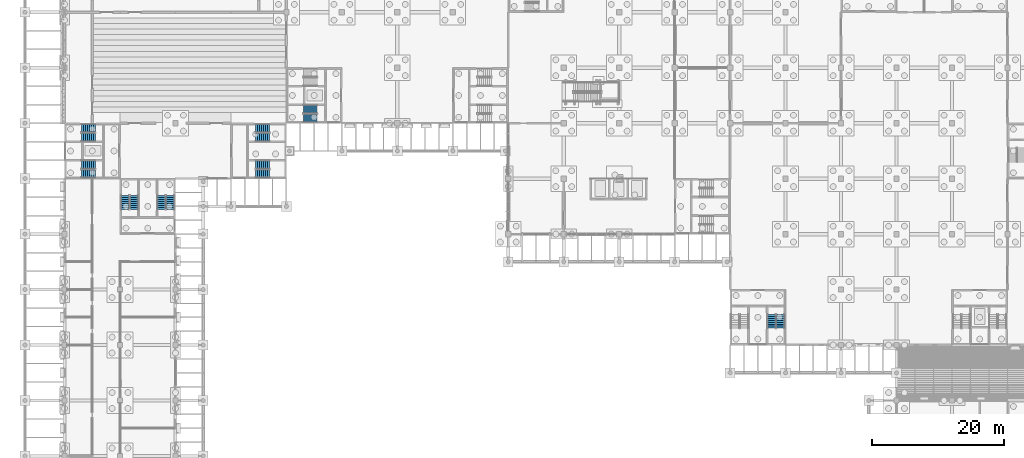
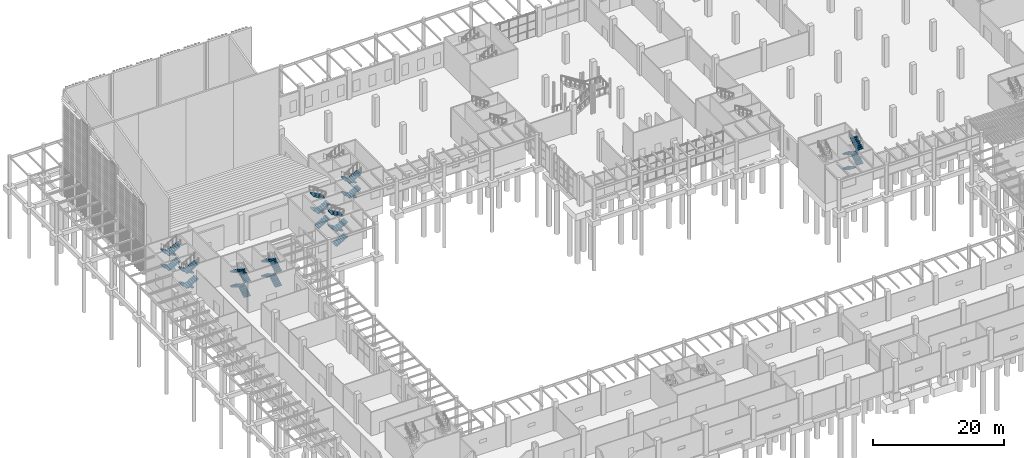
# One storey, part 45 of 82: 32 stair flights, 8 elements without a shape of their own.
"""IFC4 building model written with IfcOpenShell, lengths in metres."""

from ifc_helpers import new_model, si_unit, direction, frame, origin, place, context, subcontext, project, spatial, polyline, outline, extrude, material, type_object, element, aggregate, save


model = new_model("IFC4")

# Units and contexts
model_context = context("Model", 3, precision=1e-05, world=origin(), true_north=direction((0.0, 1.0)))
body_context = subcontext(model_context, "Body", "Model", "MODEL_VIEW")
ifc_project = project(units=[si_unit("LENGTHUNIT", "METRE"), si_unit("AREAUNIT", "SQUARE_METRE"), si_unit("VOLUMEUNIT", "CUBIC_METRE"), si_unit("PLANEANGLEUNIT", "RADIAN"), si_unit("MASSUNIT", "GRAM", prefix="KILO")], contexts=[model_context])

# Site, building, storey
site_placement = place(None, origin())
site = spatial("IfcSite", under=ifc_project, at=site_placement, CompositionType="ELEMENT")
building_placement = place(site_placement, origin())
building = spatial("IfcBuilding", under=site, at=building_placement, Name="Almond Square Museum", CompositionType="ELEMENT")
storey_placement = place(building_placement, origin())
storey = spatial("IfcBuildingStorey", under=building, at=storey_placement, Name="L00", CompositionType="ELEMENT", Elevation=0.0)

# Stair, stair flights
ifc_material_1 = material(Name="Concrete C40/50", Category="concrete")
stair_type = type_object("IfcStairType", Name="Exit stair 32 risers of 172 mm", PredefinedType="HALF_TURN_STAIR", material=ifc_material_1)
stair_1_placement = place(storey_placement, origin())
stair_1 = element("IfcStair", 1, at=stair_1_placement, inside=storey, type_object=stair_type, Name="L00 stair H1-2", PredefinedType="HALF_TURN_STAIR")
ifc_material_2 = material(Name="Concrete C40/50", Category="concrete")
stair_flight_type = type_object("IfcStairFlightType", Name="Concrete flight", PredefinedType="STRAIGHT", material=ifc_material_2)
stair_flight_1_placement = place(storey_placement, frame((113.074951171875, 55.050048828125, 0.0), z_axis=(0.0, 0.0, 1.0), x_axis=(0.0, -1.0, 0.0)))
stair_flight_1 = element("IfcStairFlight", 2, at=stair_flight_1_placement, type_object=stair_flight_type, Name="ST-02 flight 1", NumberOfRisers=8, NumberOfTreads=7, PredefinedType="STRAIGHT", RiserHeight=0.171875, TreadLength=0.3, context=body_context, shape_type="SweptSolid", body=[
    extrude(outline(polyline([(0.0, 0.0), (0.0, 0.171875), (0.300048828125, 0.171875), (0.300048828125, 0.34375), (0.60009765625, 0.34375), (0.60009765625, 0.515625), (0.89990234375, 0.515625), (0.89990234375, 0.6875), (1.199951171875, 0.6875), (1.199951171875, 0.859375), (1.5, 0.859375), (1.5, 1.03125), (1.800048828125, 1.03125), (1.800048828125, 1.203125), (2.10009765625, 1.203125), (2.10009765625, 1.375), (2.10009765625, 1.0302734375), (0.301513671875, 0.0), (0.0, 0.0)])), frame((0.0, 0.574951171875, 0.0), z_axis=(0.0, -1.0, 0.0), x_axis=(1.0, 0.0, 0.0)), (0.0, 0.0, 1.0), 1.14990234375),
])
stair_flight_2_placement = place(storey_placement, frame((114.425048828125, 52.949951171875, 1.375), z_axis=(0.0, 0.0, 1.0), x_axis=(0.0, 1.0, 0.0)))
stair_flight_2 = element("IfcStairFlight", 3, at=stair_flight_2_placement, type_object=stair_flight_type, Name="ST-02 flight 2", NumberOfRisers=8, NumberOfTreads=7, PredefinedType="STRAIGHT", RiserHeight=0.171875, TreadLength=0.3, context=body_context, shape_type="SweptSolid", body=[
    extrude(outline(polyline([(0.0, 0.0), (0.0, 0.171875), (0.300048828125, 0.171875), (0.300048828125, 0.34375), (0.60009765625, 0.34375), (0.60009765625, 0.515625), (0.89990234375, 0.515625), (0.89990234375, 0.6875), (1.199951171875, 0.6875), (1.199951171875, 0.859375), (1.5, 0.859375), (1.5, 1.03125), (1.800048828125, 1.03125), (1.800048828125, 1.203125), (2.10009765625, 1.203125), (2.10009765625, 1.375), (2.10009765625, 1.0302734375), (0.301513671875, 0.0), (0.0, 0.0)])), frame((0.0, 0.574951171875, 0.0), z_axis=(0.0, -1.0, 0.0), x_axis=(1.0, 0.0, 0.0)), (0.0, 0.0, 1.0), 1.14990234375),
])
stair_flight_3_placement = place(storey_placement, frame((113.074951171875, 55.050048828125, 2.75), z_axis=(0.0, 0.0, 1.0), x_axis=(0.0, -1.0, 0.0)))
stair_flight_3 = element("IfcStairFlight", 4, at=stair_flight_3_placement, type_object=stair_flight_type, Name="ST-02 flight 3", NumberOfRisers=8, NumberOfTreads=7, PredefinedType="STRAIGHT", RiserHeight=0.171875, TreadLength=0.3, context=body_context, shape_type="SweptSolid", body=[
    extrude(outline(polyline([(0.0, 0.0), (0.0, 0.171875), (0.300048828125, 0.171875), (0.300048828125, 0.34375), (0.60009765625, 0.34375), (0.60009765625, 0.515625), (0.89990234375, 0.515625), (0.89990234375, 0.6875), (1.199951171875, 0.6875), (1.199951171875, 0.859375), (1.5, 0.859375), (1.5, 1.03125), (1.800048828125, 1.03125), (1.800048828125, 1.203125), (2.10009765625, 1.203125), (2.10009765625, 1.375), (2.10009765625, 1.0302734375), (0.301513671875, 0.0), (0.0, 0.0)])), frame((0.0, 0.574951171875, 0.0), z_axis=(0.0, -1.0, 0.0), x_axis=(1.0, 0.0, 0.0)), (0.0, 0.0, 1.0), 1.14990234375),
])
stair_flight_4_placement = place(storey_placement, frame((114.425048828125, 52.949951171875, 4.125), z_axis=(0.0, 0.0, 1.0), x_axis=(0.0, 1.0, 0.0)))
stair_flight_4 = element("IfcStairFlight", 5, at=stair_flight_4_placement, type_object=stair_flight_type, Name="ST-02 flight 4", NumberOfRisers=8, NumberOfTreads=7, PredefinedType="STRAIGHT", RiserHeight=0.171875, TreadLength=0.3, context=body_context, shape_type="SweptSolid", body=[
    extrude(outline(polyline([(0.0, 0.0), (0.0, 0.171875), (0.300048828125, 0.171875), (0.300048828125, 0.34375), (0.60009765625, 0.34375), (0.60009765625, 0.515625), (0.89990234375, 0.515625), (0.89990234375, 0.6875), (1.199951171875, 0.6875), (1.199951171875, 0.859375), (1.5, 0.859375), (1.5, 1.03125), (1.800048828125, 1.03125), (1.800048828125, 1.203125), (2.10009765625, 1.203125), (2.10009765625, 1.375), (2.10009765625, 1.0302734375), (0.301513671875, 0.0), (0.0, 0.0)])), frame((0.0, 0.574951171875, 0.0), z_axis=(0.0, -1.0, 0.0), x_axis=(1.0, 0.0, 0.0)), (0.0, 0.0, 1.0), 1.14990234375),
])
aggregate(stair_1, [stair_flight_1, stair_flight_2, stair_flight_3, stair_flight_4])

stair_2_placement = place(storey_placement, origin())
stair_2 = element("IfcStair", 6, at=stair_2_placement, inside=storey, type_object=stair_type, Name="L00 stair U1-1", PredefinedType="HALF_TURN_STAIR")
stair_flight_5_placement = place(storey_placement, frame((10.64990234375, 77.72509765625, 0.0), z_axis=(0.0, 0.0, 1.0), x_axis=(-1.0, 0.0, 0.0)))
stair_flight_5 = element("IfcStairFlight", 7, at=stair_flight_5_placement, type_object=stair_flight_type, Name="ST-13 flight 1", NumberOfRisers=8, NumberOfTreads=7, PredefinedType="STRAIGHT", RiserHeight=0.171875, TreadLength=0.3, context=body_context, shape_type="SweptSolid", body=[
    extrude(outline(polyline([(0.0, 0.0), (0.0, 0.171875), (0.300048828125, 0.171875), (0.300048828125, 0.34375), (0.60009765625, 0.34375), (0.60009765625, 0.515625), (0.89990234375, 0.515625), (0.89990234375, 0.6875), (1.199951171875, 0.6875), (1.199951171875, 0.859375), (1.5, 0.859375), (1.5, 1.03125), (1.800048828125, 1.03125), (1.800048828125, 1.203125), (2.10009765625, 1.203125), (2.10009765625, 1.375), (2.10009765625, 1.0302734375), (0.301513671875, 0.0), (0.0, 0.0)])), frame((0.0, 0.574951171875, 0.0), z_axis=(0.0, -1.0, 0.0), x_axis=(1.0, 0.0, 0.0)), (0.0, 0.0, 1.0), 1.14990234375),
])
stair_flight_6_placement = place(storey_placement, frame((8.550048828125, 76.375, 1.375), z_axis=(0.0, 0.0, 1.0), x_axis=(1.0, 0.0, 0.0)))
stair_flight_6 = element("IfcStairFlight", 8, at=stair_flight_6_placement, type_object=stair_flight_type, Name="ST-13 flight 2", NumberOfRisers=8, NumberOfTreads=7, PredefinedType="STRAIGHT", RiserHeight=0.171875, TreadLength=0.3, context=body_context, shape_type="SweptSolid", body=[
    extrude(outline(polyline([(0.0, 0.0), (0.0, 0.171875), (0.300048828125, 0.171875), (0.300048828125, 0.34375), (0.60009765625, 0.34375), (0.60009765625, 0.515625), (0.89990234375, 0.515625), (0.89990234375, 0.6875), (1.199951171875, 0.6875), (1.199951171875, 0.859375), (1.5, 0.859375), (1.5, 1.03125), (1.800048828125, 1.03125), (1.800048828125, 1.203125), (2.10009765625, 1.203125), (2.10009765625, 1.375), (2.10009765625, 1.0302734375), (0.301513671875, 0.0), (0.0, 0.0)])), frame((0.0, 0.574951171875, 0.0), z_axis=(0.0, -1.0, 0.0), x_axis=(1.0, 0.0, 0.0)), (0.0, 0.0, 1.0), 1.14990234375),
])
stair_flight_7_placement = place(storey_placement, frame((10.64990234375, 77.72509765625, 2.75), z_axis=(0.0, 0.0, 1.0), x_axis=(-1.0, 0.0, 0.0)))
stair_flight_7 = element("IfcStairFlight", 9, at=stair_flight_7_placement, type_object=stair_flight_type, Name="ST-13 flight 3", NumberOfRisers=8, NumberOfTreads=7, PredefinedType="STRAIGHT", RiserHeight=0.171875, TreadLength=0.3, context=body_context, shape_type="SweptSolid", body=[
    extrude(outline(polyline([(0.0, 0.0), (0.0, 0.171875), (0.300048828125, 0.171875), (0.300048828125, 0.34375), (0.60009765625, 0.34375), (0.60009765625, 0.515625), (0.89990234375, 0.515625), (0.89990234375, 0.6875), (1.199951171875, 0.6875), (1.199951171875, 0.859375), (1.5, 0.859375), (1.5, 1.03125), (1.800048828125, 1.03125), (1.800048828125, 1.203125), (2.10009765625, 1.203125), (2.10009765625, 1.375), (2.10009765625, 1.0302734375), (0.301513671875, 0.0), (0.0, 0.0)])), frame((0.0, 0.574951171875, 0.0), z_axis=(0.0, -1.0, 0.0), x_axis=(1.0, 0.0, 0.0)), (0.0, 0.0, 1.0), 1.14990234375),
])
stair_flight_8_placement = place(storey_placement, frame((8.550048828125, 76.375, 4.125), z_axis=(0.0, 0.0, 1.0), x_axis=(1.0, 0.0, 0.0)))
stair_flight_8 = element("IfcStairFlight", 10, at=stair_flight_8_placement, type_object=stair_flight_type, Name="ST-13 flight 4", NumberOfRisers=8, NumberOfTreads=7, PredefinedType="STRAIGHT", RiserHeight=0.171875, TreadLength=0.3, context=body_context, shape_type="SweptSolid", body=[
    extrude(outline(polyline([(0.0, 0.0), (0.0, 0.171875), (0.300048828125, 0.171875), (0.300048828125, 0.34375), (0.60009765625, 0.34375), (0.60009765625, 0.515625), (0.89990234375, 0.515625), (0.89990234375, 0.6875), (1.199951171875, 0.6875), (1.199951171875, 0.859375), (1.5, 0.859375), (1.5, 1.03125), (1.800048828125, 1.03125), (1.800048828125, 1.203125), (2.10009765625, 1.203125), (2.10009765625, 1.375), (2.10009765625, 1.0302734375), (0.301513671875, 0.0), (0.0, 0.0)])), frame((0.0, 0.574951171875, 0.0), z_axis=(0.0, -1.0, 0.0), x_axis=(1.0, 0.0, 0.0)), (0.0, 0.0, 1.0), 1.14990234375),
])
aggregate(stair_2, [stair_flight_5, stair_flight_6, stair_flight_7, stair_flight_8])

stair_3_placement = place(storey_placement, origin())
stair_3 = element("IfcStair", 11, at=stair_3_placement, inside=storey, type_object=stair_type, Name="L00 stair U1-2", PredefinedType="HALF_TURN_STAIR")
stair_flight_9_placement = place(storey_placement, frame((10.64990234375, 83.22509765625, 0.0), z_axis=(0.0, 0.0, 1.0), x_axis=(-1.0, 0.0, 0.0)))
stair_flight_9 = element("IfcStairFlight", 12, at=stair_flight_9_placement, type_object=stair_flight_type, Name="ST-14 flight 1", NumberOfRisers=8, NumberOfTreads=7, PredefinedType="STRAIGHT", RiserHeight=0.171875, TreadLength=0.3, context=body_context, shape_type="SweptSolid", body=[
    extrude(outline(polyline([(0.0, 0.0), (0.0, 0.171875), (0.300048828125, 0.171875), (0.300048828125, 0.34375), (0.60009765625, 0.34375), (0.60009765625, 0.515625), (0.89990234375, 0.515625), (0.89990234375, 0.6875), (1.199951171875, 0.6875), (1.199951171875, 0.859375), (1.5, 0.859375), (1.5, 1.03125), (1.800048828125, 1.03125), (1.800048828125, 1.203125), (2.10009765625, 1.203125), (2.10009765625, 1.375), (2.10009765625, 1.0302734375), (0.301513671875, 0.0), (0.0, 0.0)])), frame((0.0, 0.574951171875, 0.0), z_axis=(0.0, -1.0, 0.0), x_axis=(1.0, 0.0, 0.0)), (0.0, 0.0, 1.0), 1.14990234375),
])
stair_flight_10_placement = place(storey_placement, frame((8.550048828125, 81.875, 1.375), z_axis=(0.0, 0.0, 1.0), x_axis=(1.0, 0.0, 0.0)))
stair_flight_10 = element("IfcStairFlight", 13, at=stair_flight_10_placement, type_object=stair_flight_type, Name="ST-14 flight 2", NumberOfRisers=8, NumberOfTreads=7, PredefinedType="STRAIGHT", RiserHeight=0.171875, TreadLength=0.3, context=body_context, shape_type="SweptSolid", body=[
    extrude(outline(polyline([(0.0, 0.0), (0.0, 0.171875), (0.300048828125, 0.171875), (0.300048828125, 0.34375), (0.60009765625, 0.34375), (0.60009765625, 0.515625), (0.89990234375, 0.515625), (0.89990234375, 0.6875), (1.199951171875, 0.6875), (1.199951171875, 0.859375), (1.5, 0.859375), (1.5, 1.03125), (1.800048828125, 1.03125), (1.800048828125, 1.203125), (2.10009765625, 1.203125), (2.10009765625, 1.375), (2.10009765625, 1.0302734375), (0.301513671875, 0.0), (0.0, 0.0)])), frame((0.0, 0.574951171875, 0.0), z_axis=(0.0, -1.0, 0.0), x_axis=(1.0, 0.0, 0.0)), (0.0, 0.0, 1.0), 1.14990234375),
])
stair_flight_11_placement = place(storey_placement, frame((10.64990234375, 83.22509765625, 2.75), z_axis=(0.0, 0.0, 1.0), x_axis=(-1.0, 0.0, 0.0)))
stair_flight_11 = element("IfcStairFlight", 14, at=stair_flight_11_placement, type_object=stair_flight_type, Name="ST-14 flight 3", NumberOfRisers=8, NumberOfTreads=7, PredefinedType="STRAIGHT", RiserHeight=0.171875, TreadLength=0.3, context=body_context, shape_type="SweptSolid", body=[
    extrude(outline(polyline([(0.0, 0.0), (0.0, 0.171875), (0.300048828125, 0.171875), (0.300048828125, 0.34375), (0.60009765625, 0.34375), (0.60009765625, 0.515625), (0.89990234375, 0.515625), (0.89990234375, 0.6875), (1.199951171875, 0.6875), (1.199951171875, 0.859375), (1.5, 0.859375), (1.5, 1.03125), (1.800048828125, 1.03125), (1.800048828125, 1.203125), (2.10009765625, 1.203125), (2.10009765625, 1.375), (2.10009765625, 1.0302734375), (0.301513671875, 0.0), (0.0, 0.0)])), frame((0.0, 0.574951171875, 0.0), z_axis=(0.0, -1.0, 0.0), x_axis=(1.0, 0.0, 0.0)), (0.0, 0.0, 1.0), 1.14990234375),
])
stair_flight_12_placement = place(storey_placement, frame((8.550048828125, 81.875, 4.125), z_axis=(0.0, 0.0, 1.0), x_axis=(1.0, 0.0, 0.0)))
stair_flight_12 = element("IfcStairFlight", 15, at=stair_flight_12_placement, type_object=stair_flight_type, Name="ST-14 flight 4", NumberOfRisers=8, NumberOfTreads=7, PredefinedType="STRAIGHT", RiserHeight=0.171875, TreadLength=0.3, context=body_context, shape_type="SweptSolid", body=[
    extrude(outline(polyline([(0.0, 0.0), (0.0, 0.171875), (0.300048828125, 0.171875), (0.300048828125, 0.34375), (0.60009765625, 0.34375), (0.60009765625, 0.515625), (0.89990234375, 0.515625), (0.89990234375, 0.6875), (1.199951171875, 0.6875), (1.199951171875, 0.859375), (1.5, 0.859375), (1.5, 1.03125), (1.800048828125, 1.03125), (1.800048828125, 1.203125), (2.10009765625, 1.203125), (2.10009765625, 1.375), (2.10009765625, 1.0302734375), (0.301513671875, 0.0), (0.0, 0.0)])), frame((0.0, 0.574951171875, 0.0), z_axis=(0.0, -1.0, 0.0), x_axis=(1.0, 0.0, 0.0)), (0.0, 0.0, 1.0), 1.14990234375),
])
aggregate(stair_3, [stair_flight_9, stair_flight_10, stair_flight_11, stair_flight_12])

stair_4_placement = place(storey_placement, origin())
stair_4 = element("IfcStair", 16, at=stair_4_placement, inside=storey, type_object=stair_type, Name="L00 stair U2-1", PredefinedType="HALF_TURN_STAIR")
stair_flight_13_placement = place(storey_placement, frame((34.949951171875, 76.375, 0.0), z_axis=(0.0, 0.0, 1.0), x_axis=(1.0, 0.0, 0.0)))
stair_flight_13 = element("IfcStairFlight", 17, at=stair_flight_13_placement, type_object=stair_flight_type, Name="ST-15 flight 1", NumberOfRisers=8, NumberOfTreads=7, PredefinedType="STRAIGHT", RiserHeight=0.171875, TreadLength=0.3, context=body_context, shape_type="SweptSolid", body=[
    extrude(outline(polyline([(0.0, 0.0), (0.0, 0.171875), (0.300048828125, 0.171875), (0.300048828125, 0.34375), (0.60009765625, 0.34375), (0.60009765625, 0.515625), (0.89990234375, 0.515625), (0.89990234375, 0.6875), (1.199951171875, 0.6875), (1.199951171875, 0.859375), (1.5, 0.859375), (1.5, 1.03125), (1.800048828125, 1.03125), (1.800048828125, 1.203125), (2.10009765625, 1.203125), (2.10009765625, 1.375), (2.10009765625, 1.0302734375), (0.301513671875, 0.0), (0.0, 0.0)])), frame((0.0, 0.574951171875, 0.0), z_axis=(0.0, -1.0, 0.0), x_axis=(1.0, 0.0, 0.0)), (0.0, 0.0, 1.0), 1.14990234375),
])
stair_flight_14_placement = place(storey_placement, frame((37.050048828125, 77.72509765625, 1.375), z_axis=(0.0, 0.0, 1.0), x_axis=(-1.0, 0.0, 0.0)))
stair_flight_14 = element("IfcStairFlight", 18, at=stair_flight_14_placement, type_object=stair_flight_type, Name="ST-15 flight 2", NumberOfRisers=8, NumberOfTreads=7, PredefinedType="STRAIGHT", RiserHeight=0.171875, TreadLength=0.3, context=body_context, shape_type="SweptSolid", body=[
    extrude(outline(polyline([(0.0, 0.0), (0.0, 0.171875), (0.300048828125, 0.171875), (0.300048828125, 0.34375), (0.60009765625, 0.34375), (0.60009765625, 0.515625), (0.89990234375, 0.515625), (0.89990234375, 0.6875), (1.199951171875, 0.6875), (1.199951171875, 0.859375), (1.5, 0.859375), (1.5, 1.03125), (1.800048828125, 1.03125), (1.800048828125, 1.203125), (2.10009765625, 1.203125), (2.10009765625, 1.375), (2.10009765625, 1.0302734375), (0.301513671875, 0.0), (0.0, 0.0)])), frame((0.0, 0.574951171875, 0.0), z_axis=(0.0, -1.0, 0.0), x_axis=(1.0, 0.0, 0.0)), (0.0, 0.0, 1.0), 1.14990234375),
])
stair_flight_15_placement = place(storey_placement, frame((34.949951171875, 76.375, 2.75), z_axis=(0.0, 0.0, 1.0), x_axis=(1.0, 0.0, 0.0)))
stair_flight_15 = element("IfcStairFlight", 19, at=stair_flight_15_placement, type_object=stair_flight_type, Name="ST-15 flight 3", NumberOfRisers=8, NumberOfTreads=7, PredefinedType="STRAIGHT", RiserHeight=0.171875, TreadLength=0.3, context=body_context, shape_type="SweptSolid", body=[
    extrude(outline(polyline([(0.0, 0.0), (0.0, 0.171875), (0.300048828125, 0.171875), (0.300048828125, 0.34375), (0.60009765625, 0.34375), (0.60009765625, 0.515625), (0.89990234375, 0.515625), (0.89990234375, 0.6875), (1.199951171875, 0.6875), (1.199951171875, 0.859375), (1.5, 0.859375), (1.5, 1.03125), (1.800048828125, 1.03125), (1.800048828125, 1.203125), (2.10009765625, 1.203125), (2.10009765625, 1.375), (2.10009765625, 1.0302734375), (0.301513671875, 0.0), (0.0, 0.0)])), frame((0.0, 0.574951171875, 0.0), z_axis=(0.0, -1.0, 0.0), x_axis=(1.0, 0.0, 0.0)), (0.0, 0.0, 1.0), 1.14990234375),
])
stair_flight_16_placement = place(storey_placement, frame((37.050048828125, 77.72509765625, 4.125), z_axis=(0.0, 0.0, 1.0), x_axis=(-1.0, 0.0, 0.0)))
stair_flight_16 = element("IfcStairFlight", 20, at=stair_flight_16_placement, type_object=stair_flight_type, Name="ST-15 flight 4", NumberOfRisers=8, NumberOfTreads=7, PredefinedType="STRAIGHT", RiserHeight=0.171875, TreadLength=0.3, context=body_context, shape_type="SweptSolid", body=[
    extrude(outline(polyline([(0.0, 0.0), (0.0, 0.171875), (0.300048828125, 0.171875), (0.300048828125, 0.34375), (0.60009765625, 0.34375), (0.60009765625, 0.515625), (0.89990234375, 0.515625), (0.89990234375, 0.6875), (1.199951171875, 0.6875), (1.199951171875, 0.859375), (1.5, 0.859375), (1.5, 1.03125), (1.800048828125, 1.03125), (1.800048828125, 1.203125), (2.10009765625, 1.203125), (2.10009765625, 1.375), (2.10009765625, 1.0302734375), (0.301513671875, 0.0), (0.0, 0.0)])), frame((0.0, 0.574951171875, 0.0), z_axis=(0.0, -1.0, 0.0), x_axis=(1.0, 0.0, 0.0)), (0.0, 0.0, 1.0), 1.14990234375),
])
aggregate(stair_4, [stair_flight_13, stair_flight_14, stair_flight_15, stair_flight_16])

stair_5_placement = place(storey_placement, origin())
stair_5 = element("IfcStair", 21, at=stair_5_placement, inside=storey, type_object=stair_type, Name="L00 stair U2-2", PredefinedType="HALF_TURN_STAIR")
stair_flight_17_placement = place(storey_placement, frame((34.949951171875, 81.875, 0.0), z_axis=(0.0, 0.0, 1.0), x_axis=(1.0, 0.0, 0.0)))
stair_flight_17 = element("IfcStairFlight", 22, at=stair_flight_17_placement, type_object=stair_flight_type, Name="ST-16 flight 1", NumberOfRisers=8, NumberOfTreads=7, PredefinedType="STRAIGHT", RiserHeight=0.171875, TreadLength=0.3, context=body_context, shape_type="SweptSolid", body=[
    extrude(outline(polyline([(0.0, 0.0), (0.0, 0.171875), (0.300048828125, 0.171875), (0.300048828125, 0.34375), (0.60009765625, 0.34375), (0.60009765625, 0.515625), (0.89990234375, 0.515625), (0.89990234375, 0.6875), (1.199951171875, 0.6875), (1.199951171875, 0.859375), (1.5, 0.859375), (1.5, 1.03125), (1.800048828125, 1.03125), (1.800048828125, 1.203125), (2.10009765625, 1.203125), (2.10009765625, 1.375), (2.10009765625, 1.0302734375), (0.301513671875, 0.0), (0.0, 0.0)])), frame((0.0, 0.574951171875, 0.0), z_axis=(0.0, -1.0, 0.0), x_axis=(1.0, 0.0, 0.0)), (0.0, 0.0, 1.0), 1.14990234375),
])
stair_flight_18_placement = place(storey_placement, frame((37.050048828125, 83.22509765625, 1.375), z_axis=(0.0, 0.0, 1.0), x_axis=(-1.0, 0.0, 0.0)))
stair_flight_18 = element("IfcStairFlight", 23, at=stair_flight_18_placement, type_object=stair_flight_type, Name="ST-16 flight 2", NumberOfRisers=8, NumberOfTreads=7, PredefinedType="STRAIGHT", RiserHeight=0.171875, TreadLength=0.3, context=body_context, shape_type="SweptSolid", body=[
    extrude(outline(polyline([(0.0, 0.0), (0.0, 0.171875), (0.300048828125, 0.171875), (0.300048828125, 0.34375), (0.60009765625, 0.34375), (0.60009765625, 0.515625), (0.89990234375, 0.515625), (0.89990234375, 0.6875), (1.199951171875, 0.6875), (1.199951171875, 0.859375), (1.5, 0.859375), (1.5, 1.03125), (1.800048828125, 1.03125), (1.800048828125, 1.203125), (2.10009765625, 1.203125), (2.10009765625, 1.375), (2.10009765625, 1.0302734375), (0.301513671875, 0.0), (0.0, 0.0)])), frame((0.0, 0.574951171875, 0.0), z_axis=(0.0, -1.0, 0.0), x_axis=(1.0, 0.0, 0.0)), (0.0, 0.0, 1.0), 1.14990234375),
])
stair_flight_19_placement = place(storey_placement, frame((34.949951171875, 81.875, 2.75), z_axis=(0.0, 0.0, 1.0), x_axis=(1.0, 0.0, 0.0)))
stair_flight_19 = element("IfcStairFlight", 24, at=stair_flight_19_placement, type_object=stair_flight_type, Name="ST-16 flight 3", NumberOfRisers=8, NumberOfTreads=7, PredefinedType="STRAIGHT", RiserHeight=0.171875, TreadLength=0.3, context=body_context, shape_type="SweptSolid", body=[
    extrude(outline(polyline([(0.0, 0.0), (0.0, 0.171875), (0.300048828125, 0.171875), (0.300048828125, 0.34375), (0.60009765625, 0.34375), (0.60009765625, 0.515625), (0.89990234375, 0.515625), (0.89990234375, 0.6875), (1.199951171875, 0.6875), (1.199951171875, 0.859375), (1.5, 0.859375), (1.5, 1.03125), (1.800048828125, 1.03125), (1.800048828125, 1.203125), (2.10009765625, 1.203125), (2.10009765625, 1.375), (2.10009765625, 1.0302734375), (0.301513671875, 0.0), (0.0, 0.0)])), frame((0.0, 0.574951171875, 0.0), z_axis=(0.0, -1.0, 0.0), x_axis=(1.0, 0.0, 0.0)), (0.0, 0.0, 1.0), 1.14990234375),
])
stair_flight_20_placement = place(storey_placement, frame((37.050048828125, 83.22509765625, 4.125), z_axis=(0.0, 0.0, 1.0), x_axis=(-1.0, 0.0, 0.0)))
stair_flight_20 = element("IfcStairFlight", 25, at=stair_flight_20_placement, type_object=stair_flight_type, Name="ST-16 flight 4", NumberOfRisers=8, NumberOfTreads=7, PredefinedType="STRAIGHT", RiserHeight=0.171875, TreadLength=0.3, context=body_context, shape_type="SweptSolid", body=[
    extrude(outline(polyline([(0.0, 0.0), (0.0, 0.171875), (0.300048828125, 0.171875), (0.300048828125, 0.34375), (0.60009765625, 0.34375), (0.60009765625, 0.515625), (0.89990234375, 0.515625), (0.89990234375, 0.6875), (1.199951171875, 0.6875), (1.199951171875, 0.859375), (1.5, 0.859375), (1.5, 1.03125), (1.800048828125, 1.03125), (1.800048828125, 1.203125), (2.10009765625, 1.203125), (2.10009765625, 1.375), (2.10009765625, 1.0302734375), (0.301513671875, 0.0), (0.0, 0.0)])), frame((0.0, 0.574951171875, 0.0), z_axis=(0.0, -1.0, 0.0), x_axis=(1.0, 0.0, 0.0)), (0.0, 0.0, 1.0), 1.14990234375),
])
aggregate(stair_5, [stair_flight_17, stair_flight_18, stair_flight_19, stair_flight_20])

stair_6_placement = place(storey_placement, origin())
stair_6 = element("IfcStair", 26, at=stair_6_placement, inside=storey, type_object=stair_type, Name="L00 stair N1-1", PredefinedType="HALF_TURN_STAIR")
stair_flight_21_placement = place(storey_placement, frame((44.25, 86.125, 0.0), z_axis=(0.0, 0.0, 1.0), x_axis=(-1.0, 0.0, 0.0)))
stair_flight_21 = element("IfcStairFlight", 27, at=stair_flight_21_placement, type_object=stair_flight_type, Name="ST-17 flight 1", NumberOfRisers=8, NumberOfTreads=7, PredefinedType="STRAIGHT", RiserHeight=0.171875, TreadLength=0.3, context=body_context, shape_type="SweptSolid", body=[
    extrude(outline(polyline([(0.0, 0.0), (0.0, 0.171875), (0.300048828125, 0.171875), (0.300048828125, 0.34375), (0.60009765625, 0.34375), (0.60009765625, 0.515625), (0.89990234375, 0.515625), (0.89990234375, 0.6875), (1.199951171875, 0.6875), (1.199951171875, 0.859375), (1.5, 0.859375), (1.5, 1.03125), (1.800048828125, 1.03125), (1.800048828125, 1.203125), (2.10009765625, 1.203125), (2.10009765625, 1.375), (2.10009765625, 1.0302734375), (0.301513671875, 0.0), (0.0, 0.0)])), frame((0.0, 0.574951171875, 0.0), z_axis=(0.0, -1.0, 0.0), x_axis=(1.0, 0.0, 0.0)), (0.0, 0.0, 1.0), 1.14990234375),
])
stair_flight_22_placement = place(storey_placement, frame((42.14990234375, 84.77490234375, 1.375), z_axis=(0.0, 0.0, 1.0), x_axis=(1.0, 0.0, 0.0)))
stair_flight_22 = element("IfcStairFlight", 28, at=stair_flight_22_placement, type_object=stair_flight_type, Name="ST-17 flight 2", NumberOfRisers=8, NumberOfTreads=7, PredefinedType="STRAIGHT", RiserHeight=0.171875, TreadLength=0.3, context=body_context, shape_type="SweptSolid", body=[
    extrude(outline(polyline([(0.0, 0.0), (0.0, 0.171875), (0.300048828125, 0.171875), (0.300048828125, 0.34375), (0.60009765625, 0.34375), (0.60009765625, 0.515625), (0.89990234375, 0.515625), (0.89990234375, 0.6875), (1.199951171875, 0.6875), (1.199951171875, 0.859375), (1.5, 0.859375), (1.5, 1.03125), (1.800048828125, 1.03125), (1.800048828125, 1.203125), (2.10009765625, 1.203125), (2.10009765625, 1.375), (2.10009765625, 1.0302734375), (0.301513671875, 0.0), (0.0, 0.0)])), frame((0.0, 0.574951171875, 0.0), z_axis=(0.0, -1.0, 0.0), x_axis=(1.0, 0.0, 0.0)), (0.0, 0.0, 1.0), 1.14990234375),
])
stair_flight_23_placement = place(storey_placement, frame((44.25, 86.125, 2.75), z_axis=(0.0, 0.0, 1.0), x_axis=(-1.0, 0.0, 0.0)))
stair_flight_23 = element("IfcStairFlight", 29, at=stair_flight_23_placement, type_object=stair_flight_type, Name="ST-17 flight 3", NumberOfRisers=8, NumberOfTreads=7, PredefinedType="STRAIGHT", RiserHeight=0.171875, TreadLength=0.3, context=body_context, shape_type="SweptSolid", body=[
    extrude(outline(polyline([(0.0, 0.0), (0.0, 0.171875), (0.300048828125, 0.171875), (0.300048828125, 0.34375), (0.60009765625, 0.34375), (0.60009765625, 0.515625), (0.89990234375, 0.515625), (0.89990234375, 0.6875), (1.199951171875, 0.6875), (1.199951171875, 0.859375), (1.5, 0.859375), (1.5, 1.03125), (1.800048828125, 1.03125), (1.800048828125, 1.203125), (2.10009765625, 1.203125), (2.10009765625, 1.375), (2.10009765625, 1.0302734375), (0.301513671875, 0.0), (0.0, 0.0)])), frame((0.0, 0.574951171875, 0.0), z_axis=(0.0, -1.0, 0.0), x_axis=(1.0, 0.0, 0.0)), (0.0, 0.0, 1.0), 1.14990234375),
])
stair_flight_24_placement = place(storey_placement, frame((42.14990234375, 84.77490234375, 4.125), z_axis=(0.0, 0.0, 1.0), x_axis=(1.0, 0.0, 0.0)))
stair_flight_24 = element("IfcStairFlight", 30, at=stair_flight_24_placement, type_object=stair_flight_type, Name="ST-17 flight 4", NumberOfRisers=8, NumberOfTreads=7, PredefinedType="STRAIGHT", RiserHeight=0.171875, TreadLength=0.3, context=body_context, shape_type="SweptSolid", body=[
    extrude(outline(polyline([(0.0, 0.0), (0.0, 0.171875), (0.300048828125, 0.171875), (0.300048828125, 0.34375), (0.60009765625, 0.34375), (0.60009765625, 0.515625), (0.89990234375, 0.515625), (0.89990234375, 0.6875), (1.199951171875, 0.6875), (1.199951171875, 0.859375), (1.5, 0.859375), (1.5, 1.03125), (1.800048828125, 1.03125), (1.800048828125, 1.203125), (2.10009765625, 1.203125), (2.10009765625, 1.375), (2.10009765625, 1.0302734375), (0.301513671875, 0.0), (0.0, 0.0)])), frame((0.0, 0.574951171875, 0.0), z_axis=(0.0, -1.0, 0.0), x_axis=(1.0, 0.0, 0.0)), (0.0, 0.0, 1.0), 1.14990234375),
])
aggregate(stair_6, [stair_flight_21, stair_flight_22, stair_flight_23, stair_flight_24])

stair_7_placement = place(storey_placement, origin())
stair_7 = element("IfcStair", 31, at=stair_7_placement, inside=storey, type_object=stair_type, Name="L00 stair W2-1", PredefinedType="HALF_TURN_STAIR")
stair_flight_25_placement = place(storey_placement, frame((16.52490234375, 70.949951171875, 0.0), z_axis=(0.0, 0.0, 1.0), x_axis=(0.0, 1.0, 0.0)))
stair_flight_25 = element("IfcStairFlight", 32, at=stair_flight_25_placement, type_object=stair_flight_type, Name="ST-23 flight 1", NumberOfRisers=8, NumberOfTreads=7, PredefinedType="STRAIGHT", RiserHeight=0.171875, TreadLength=0.3, context=body_context, shape_type="SweptSolid", body=[
    extrude(outline(polyline([(0.0, 0.0), (0.0, 0.171875), (0.300048828125, 0.171875), (0.300048828125, 0.34375), (0.60009765625, 0.34375), (0.60009765625, 0.515625), (0.89990234375, 0.515625), (0.89990234375, 0.6875), (1.199951171875, 0.6875), (1.199951171875, 0.859375), (1.5, 0.859375), (1.5, 1.03125), (1.800048828125, 1.03125), (1.800048828125, 1.203125), (2.10009765625, 1.203125), (2.10009765625, 1.375), (2.10009765625, 1.0302734375), (0.301513671875, 0.0), (0.0, 0.0)])), frame((0.0, 0.574951171875, 0.0), z_axis=(0.0, -1.0, 0.0), x_axis=(1.0, 0.0, 0.0)), (0.0, 0.0, 1.0), 1.14990234375),
])
stair_flight_26_placement = place(storey_placement, frame((15.175048828125, 73.050048828125, 1.375), z_axis=(0.0, 0.0, 1.0), x_axis=(0.0, -1.0, 0.0)))
stair_flight_26 = element("IfcStairFlight", 33, at=stair_flight_26_placement, type_object=stair_flight_type, Name="ST-23 flight 2", NumberOfRisers=8, NumberOfTreads=7, PredefinedType="STRAIGHT", RiserHeight=0.171875, TreadLength=0.3, context=body_context, shape_type="SweptSolid", body=[
    extrude(outline(polyline([(0.0, 0.0), (0.0, 0.171875), (0.300048828125, 0.171875), (0.300048828125, 0.34375), (0.60009765625, 0.34375), (0.60009765625, 0.515625), (0.89990234375, 0.515625), (0.89990234375, 0.6875), (1.199951171875, 0.6875), (1.199951171875, 0.859375), (1.5, 0.859375), (1.5, 1.03125), (1.800048828125, 1.03125), (1.800048828125, 1.203125), (2.10009765625, 1.203125), (2.10009765625, 1.375), (2.10009765625, 1.0302734375), (0.301513671875, 0.0), (0.0, 0.0)])), frame((0.0, 0.574951171875, 0.0), z_axis=(0.0, -1.0, 0.0), x_axis=(1.0, 0.0, 0.0)), (0.0, 0.0, 1.0), 1.14990234375),
])
stair_flight_27_placement = place(storey_placement, frame((16.52490234375, 70.949951171875, 2.75), z_axis=(0.0, 0.0, 1.0), x_axis=(0.0, 1.0, 0.0)))
stair_flight_27 = element("IfcStairFlight", 34, at=stair_flight_27_placement, type_object=stair_flight_type, Name="ST-23 flight 3", NumberOfRisers=8, NumberOfTreads=7, PredefinedType="STRAIGHT", RiserHeight=0.171875, TreadLength=0.3, context=body_context, shape_type="SweptSolid", body=[
    extrude(outline(polyline([(0.0, 0.0), (0.0, 0.171875), (0.300048828125, 0.171875), (0.300048828125, 0.34375), (0.60009765625, 0.34375), (0.60009765625, 0.515625), (0.89990234375, 0.515625), (0.89990234375, 0.6875), (1.199951171875, 0.6875), (1.199951171875, 0.859375), (1.5, 0.859375), (1.5, 1.03125), (1.800048828125, 1.03125), (1.800048828125, 1.203125), (2.10009765625, 1.203125), (2.10009765625, 1.375), (2.10009765625, 1.0302734375), (0.301513671875, 0.0), (0.0, 0.0)])), frame((0.0, 0.574951171875, 0.0), z_axis=(0.0, -1.0, 0.0), x_axis=(1.0, 0.0, 0.0)), (0.0, 0.0, 1.0), 1.14990234375),
])
stair_flight_28_placement = place(storey_placement, frame((15.175048828125, 73.050048828125, 4.125), z_axis=(0.0, 0.0, 1.0), x_axis=(0.0, -1.0, 0.0)))
stair_flight_28 = element("IfcStairFlight", 35, at=stair_flight_28_placement, type_object=stair_flight_type, Name="ST-23 flight 4", NumberOfRisers=8, NumberOfTreads=7, PredefinedType="STRAIGHT", RiserHeight=0.171875, TreadLength=0.3, context=body_context, shape_type="SweptSolid", body=[
    extrude(outline(polyline([(0.0, 0.0), (0.0, 0.171875), (0.300048828125, 0.171875), (0.300048828125, 0.34375), (0.60009765625, 0.34375), (0.60009765625, 0.515625), (0.89990234375, 0.515625), (0.89990234375, 0.6875), (1.199951171875, 0.6875), (1.199951171875, 0.859375), (1.5, 0.859375), (1.5, 1.03125), (1.800048828125, 1.03125), (1.800048828125, 1.203125), (2.10009765625, 1.203125), (2.10009765625, 1.375), (2.10009765625, 1.0302734375), (0.301513671875, 0.0), (0.0, 0.0)])), frame((0.0, 0.574951171875, 0.0), z_axis=(0.0, -1.0, 0.0), x_axis=(1.0, 0.0, 0.0)), (0.0, 0.0, 1.0), 1.14990234375),
])
aggregate(stair_7, [stair_flight_25, stair_flight_26, stair_flight_27, stair_flight_28])

stair_8_placement = place(storey_placement, origin())
stair_8 = element("IfcStair", 36, at=stair_8_placement, inside=storey, type_object=stair_type, Name="L00 stair W2-2", PredefinedType="HALF_TURN_STAIR")
stair_flight_29_placement = place(storey_placement, frame((22.02490234375, 70.949951171875, 0.0), z_axis=(0.0, 0.0, 1.0), x_axis=(0.0, 1.0, 0.0)))
stair_flight_29 = element("IfcStairFlight", 37, at=stair_flight_29_placement, type_object=stair_flight_type, Name="ST-24 flight 1", NumberOfRisers=8, NumberOfTreads=7, PredefinedType="STRAIGHT", RiserHeight=0.171875, TreadLength=0.3, context=body_context, shape_type="SweptSolid", body=[
    extrude(outline(polyline([(0.0, 0.0), (0.0, 0.171875), (0.300048828125, 0.171875), (0.300048828125, 0.34375), (0.60009765625, 0.34375), (0.60009765625, 0.515625), (0.89990234375, 0.515625), (0.89990234375, 0.6875), (1.199951171875, 0.6875), (1.199951171875, 0.859375), (1.5, 0.859375), (1.5, 1.03125), (1.800048828125, 1.03125), (1.800048828125, 1.203125), (2.10009765625, 1.203125), (2.10009765625, 1.375), (2.10009765625, 1.0302734375), (0.301513671875, 0.0), (0.0, 0.0)])), frame((0.0, 0.574951171875, 0.0), z_axis=(0.0, -1.0, 0.0), x_axis=(1.0, 0.0, 0.0)), (0.0, 0.0, 1.0), 1.14990234375),
])
stair_flight_30_placement = place(storey_placement, frame((20.675048828125, 73.050048828125, 1.375), z_axis=(0.0, 0.0, 1.0), x_axis=(0.0, -1.0, 0.0)))
stair_flight_30 = element("IfcStairFlight", 38, at=stair_flight_30_placement, type_object=stair_flight_type, Name="ST-24 flight 2", NumberOfRisers=8, NumberOfTreads=7, PredefinedType="STRAIGHT", RiserHeight=0.171875, TreadLength=0.3, context=body_context, shape_type="SweptSolid", body=[
    extrude(outline(polyline([(0.0, 0.0), (0.0, 0.171875), (0.300048828125, 0.171875), (0.300048828125, 0.34375), (0.60009765625, 0.34375), (0.60009765625, 0.515625), (0.89990234375, 0.515625), (0.89990234375, 0.6875), (1.199951171875, 0.6875), (1.199951171875, 0.859375), (1.5, 0.859375), (1.5, 1.03125), (1.800048828125, 1.03125), (1.800048828125, 1.203125), (2.10009765625, 1.203125), (2.10009765625, 1.375), (2.10009765625, 1.0302734375), (0.301513671875, 0.0), (0.0, 0.0)])), frame((0.0, 0.574951171875, 0.0), z_axis=(0.0, -1.0, 0.0), x_axis=(1.0, 0.0, 0.0)), (0.0, 0.0, 1.0), 1.14990234375),
])
stair_flight_31_placement = place(storey_placement, frame((22.02490234375, 70.949951171875, 2.75), z_axis=(0.0, 0.0, 1.0), x_axis=(0.0, 1.0, 0.0)))
stair_flight_31 = element("IfcStairFlight", 39, at=stair_flight_31_placement, type_object=stair_flight_type, Name="ST-24 flight 3", NumberOfRisers=8, NumberOfTreads=7, PredefinedType="STRAIGHT", RiserHeight=0.171875, TreadLength=0.3, context=body_context, shape_type="SweptSolid", body=[
    extrude(outline(polyline([(0.0, 0.0), (0.0, 0.171875), (0.300048828125, 0.171875), (0.300048828125, 0.34375), (0.60009765625, 0.34375), (0.60009765625, 0.515625), (0.89990234375, 0.515625), (0.89990234375, 0.6875), (1.199951171875, 0.6875), (1.199951171875, 0.859375), (1.5, 0.859375), (1.5, 1.03125), (1.800048828125, 1.03125), (1.800048828125, 1.203125), (2.10009765625, 1.203125), (2.10009765625, 1.375), (2.10009765625, 1.0302734375), (0.301513671875, 0.0), (0.0, 0.0)])), frame((0.0, 0.574951171875, 0.0), z_axis=(0.0, -1.0, 0.0), x_axis=(1.0, 0.0, 0.0)), (0.0, 0.0, 1.0), 1.14990234375),
])
stair_flight_32_placement = place(storey_placement, frame((20.675048828125, 73.050048828125, 4.125), z_axis=(0.0, 0.0, 1.0), x_axis=(0.0, -1.0, 0.0)))
stair_flight_32 = element("IfcStairFlight", 40, at=stair_flight_32_placement, type_object=stair_flight_type, Name="ST-24 flight 4", NumberOfRisers=8, NumberOfTreads=7, PredefinedType="STRAIGHT", RiserHeight=0.171875, TreadLength=0.3, context=body_context, shape_type="SweptSolid", body=[
    extrude(outline(polyline([(0.0, 0.0), (0.0, 0.171875), (0.300048828125, 0.171875), (0.300048828125, 0.34375), (0.60009765625, 0.34375), (0.60009765625, 0.515625), (0.89990234375, 0.515625), (0.89990234375, 0.6875), (1.199951171875, 0.6875), (1.199951171875, 0.859375), (1.5, 0.859375), (1.5, 1.03125), (1.800048828125, 1.03125), (1.800048828125, 1.203125), (2.10009765625, 1.203125), (2.10009765625, 1.375), (2.10009765625, 1.0302734375), (0.301513671875, 0.0), (0.0, 0.0)])), frame((0.0, 0.574951171875, 0.0), z_axis=(0.0, -1.0, 0.0), x_axis=(1.0, 0.0, 0.0)), (0.0, 0.0, 1.0), 1.14990234375),
])
aggregate(stair_8, [stair_flight_29, stair_flight_30, stair_flight_31, stair_flight_32])

save(model, "model.ifc")
